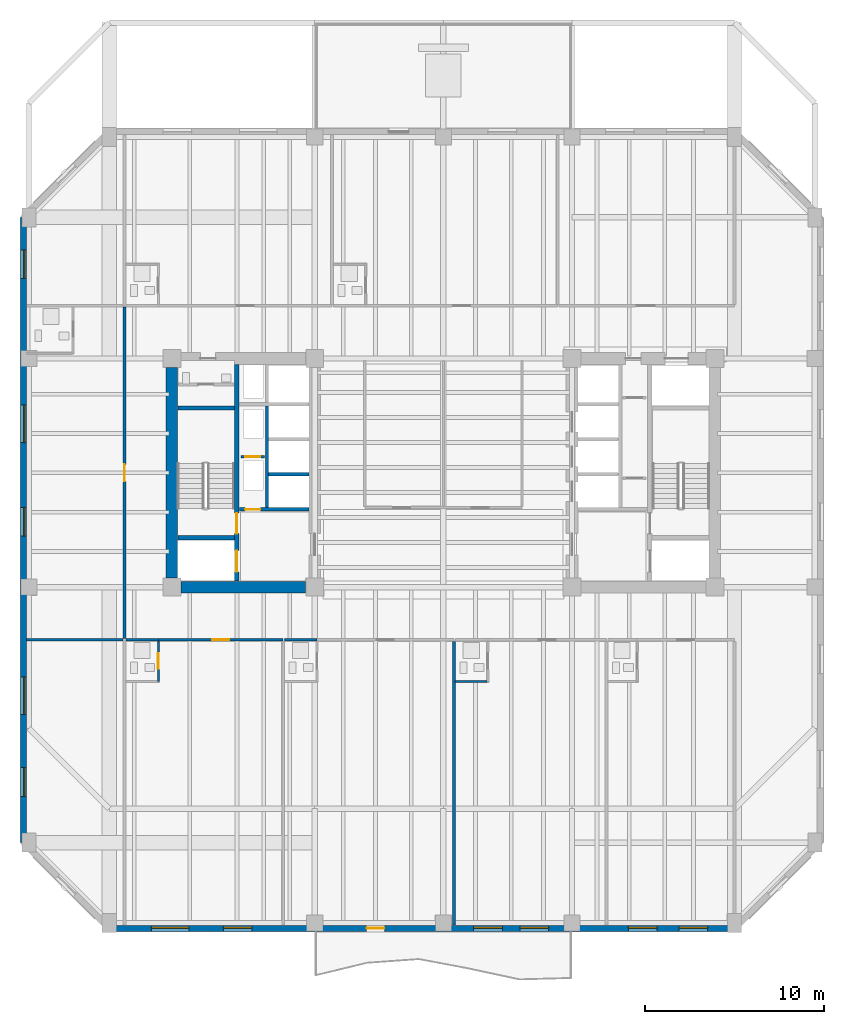
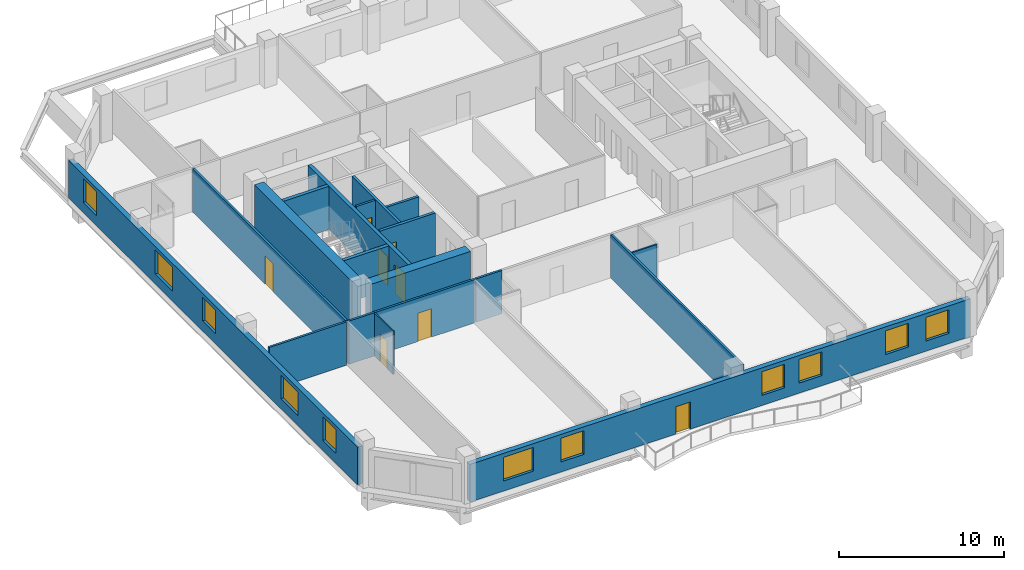
# One storey, part 3 of 11: 19 walls, 11 windows, 8 doors, 19 openings.
"""IFC4 building model written with IfcOpenShell, lengths in metres."""

import ifcopenshell
import ifcopenshell.guid

model = None  # the IFC model being written
_history = None  # IfcOwnerHistory: only IFC2X3 demands one
_inside = {}  # id of a spatial element -> (the spatial element, [elements in it])
_under = {}  # id of a project, library or spatial element -> (it, [spatial elements below it])
_declared = {}  # id of a project -> (the project, [libraries it declares])
_typed = {}  # id of a type object -> (the type object, [elements of that type])
_made_of = {}  # id of a material, layer set ... -> (it, [elements and type objects made of it])


def new_model(schema):
    """Start an empty IFC model of exactly this schema.

    Asked for "IFC4X3", IfcOpenShell would pick the latest addendum, in which some entities
    have other attributes; the version numbers below select the first issue.
    IFC2X3 requires an IfcOwnerHistory on every rooted entity: one is made here for all.
    """
    global model, _history
    if schema == "IFC4X3":
        model = ifcopenshell.file(schema_version=(4, 3, 0, 0))
    else:
        model = ifcopenshell.file(schema=schema)
    _inside.clear()
    _under.clear()
    _declared.clear()
    _typed.clear()
    _made_of.clear()
    _history = None
    if model.schema == "IFC2X3":
        org = make("IfcOrganization", Name="unknown")
        user = make(
            "IfcPersonAndOrganization",
            ThePerson=make("IfcPerson", FamilyName="unknown"),
            TheOrganization=org,
        )
        app = make(
            "IfcApplication",
            ApplicationDeveloper=org,
            Version="unknown",
            ApplicationFullName="unknown",
            ApplicationIdentifier="unknown",
        )
        _history = make(
            "IfcOwnerHistory",
            OwningUser=user,
            OwningApplication=app,
            ChangeAction="ADDED",
            CreationDate=0,
        )
    return model


def make(cls, **values):
    """One entity of the class cls with the attributes given. An attribute that is None is left unset."""
    return model.create_entity(
        cls, **{name: value for name, value in values.items() if value is not None}
    )


def rooted(cls, **values):
    """An entity with a GlobalId (a new one), such as an element, a storey or a relation."""
    return make(cls, GlobalId=ifcopenshell.guid.new(), OwnerHistory=_history, **values)


def si_unit(unit_type, name, prefix=None):
    """IfcSIUnit, for example si_unit("LENGTHUNIT", "METRE", prefix="MILLI")."""
    return make("IfcSIUnit", UnitType=unit_type, Prefix=prefix, Name=name)


def assignment(units):
    """IfcUnitAssignment: the units of a project."""
    return None if units is None else make("IfcUnitAssignment", Units=units)


def point(xyz):
    """IfcCartesianPoint."""
    return None if xyz is None else make("IfcCartesianPoint", Coordinates=xyz)


def direction(xyz):
    """IfcDirection."""
    return None if xyz is None else make("IfcDirection", DirectionRatios=xyz)


def frame(location, z_axis=None, x_axis=None):
    """IfcAxis2Placement3D, a coordinate frame: its origin and axes. An axis left out is left unset."""
    return make(
        "IfcAxis2Placement3D",
        Location=point(location),
        Axis=direction(z_axis),
        RefDirection=direction(x_axis),
    )


def frame_2d(location, x_axis=None):
    """IfcAxis2Placement2D, a coordinate frame in the plane: its origin and x axis."""
    return make(
        "IfcAxis2Placement2D", Location=point(location), RefDirection=direction(x_axis)
    )


def origin():
    """The frame at (0, 0, 0) with its axes left unset."""
    return frame((0.0, 0.0, 0.0))


def place(relative_to, where):
    """IfcLocalPlacement: puts the frame where relative to a parent placement (None: the world)."""
    return make(
        "IfcLocalPlacement", PlacementRelTo=relative_to, RelativePlacement=where
    )


def context(
    kind, dimensions, precision=None, world=None, true_north=None, identifier=None
):
    """IfcGeometricRepresentationContext, for example the 3D "Model" context."""
    return make(
        "IfcGeometricRepresentationContext",
        ContextIdentifier=identifier,
        ContextType=kind,
        CoordinateSpaceDimension=dimensions,
        Precision=precision,
        WorldCoordinateSystem=world,
        TrueNorth=true_north,
    )


def subcontext(parent, identifier, kind, view, scale=None):
    """IfcGeometricRepresentationSubContext, for example "Body" below "Model"."""
    return make(
        "IfcGeometricRepresentationSubContext",
        ContextIdentifier=identifier,
        ContextType=kind,
        ParentContext=parent,
        TargetScale=scale,
        TargetView=view,
    )


def project(units=None, contexts=None):
    """IfcProject with its units and contexts."""
    return rooted(
        "IfcProject",
        Name="project",
        RepresentationContexts=contexts,
        UnitsInContext=assignment(units),
    )


def spatial(cls, under=None, at=None, **own):
    """A site, building, storey or space (cls), placed at a placement, below another one or the project."""
    s = rooted(cls, ObjectPlacement=at, **own)
    if under is not None:
        _under.setdefault(under.id(), (under, []))[1].append(s)
    return s


def profile(cls, at=None, kind="AREA", **sizes):
    """A parametric profile (cls). Its sizes go by their IFC names, for example OverallWidth=200.0."""
    return make(cls, ProfileType=kind, Position=at, **sizes)


def rectangle(**sizes):
    """IfcRectangleProfileDef."""
    return profile("IfcRectangleProfileDef", **sizes)


def extrude(swept, where, along, depth):
    """IfcExtrudedAreaSolid: the profile swept, set in the frame where, extruded along a direction by depth."""
    return make(
        "IfcExtrudedAreaSolid",
        SweptArea=swept,
        Position=where,
        ExtrudedDirection=direction(along),
        Depth=depth,
    )


def shape(context_of_items, identifier, shape_type, items):
    """IfcShapeRepresentation: the items that make up one representation, for example the "Body"."""
    return make(
        "IfcShapeRepresentation",
        ContextOfItems=context_of_items,
        RepresentationIdentifier=identifier,
        RepresentationType=shape_type,
        Items=items,
    )


def material(Name=None, Category=None):
    """IfcMaterial."""
    return make("IfcMaterial", Name=Name, Category=Category)


def layer(
    of_material, thickness, ventilated=None, Name=None, Category=None, Priority=None
):
    """IfcMaterialLayer: one layer of a wall or slab, of a material (None: an air gap)."""
    return make(
        "IfcMaterialLayer",
        Material=of_material,
        LayerThickness=thickness,
        IsVentilated=ventilated,
        Name=Name,
        Category=Category,
        Priority=Priority,
    )


def layer_set(layers, Name=None):
    """IfcMaterialLayerSet."""
    return make("IfcMaterialLayerSet", MaterialLayers=layers, LayerSetName=Name)


def made_of(thing, what):
    """Note that an element or type object is made of a material, layer set ...; save() writes the relation."""
    if what is not None:
        _made_of.setdefault(what.id(), (what, []))[1].append(thing)
    return thing


def type_object(cls, material=None, **own):
    """A type object (cls), such as IfcWallType, which elements share."""
    return made_of(rooted(cls, **own), material)


def element(
    cls,
    number,
    at=None,
    inside=None,
    cuts=None,
    type_object=None,
    material=None,
    context=None,
    identifier="Body",
    shape_type=None,
    held_by="IfcProductDefinitionShape",
    body=None,
    shapes=None,
    **own,
):
    """One element of the class cls, such as IfcWall. Its Tag is "e" and its number.

    at: its placement. inside: the storey or other place that contains it. cuts: it is an
    opening in that element (IfcRelVoidsElement). A single representation is given by context,
    identifier, shape_type and body (its items); several are given by shapes. held_by: the class
    of the entity that holds the representations. save() writes the other relations.
    """
    e = rooted(cls, Tag="e%d" % number, ObjectPlacement=at, **own)
    if body is not None:
        shapes = [shape(context, identifier, shape_type, body)]
    if shapes is not None:
        e.Representation = make(held_by, Representations=shapes)
    if inside is not None:
        _inside.setdefault(inside.id(), (inside, []))[1].append(e)
    if cuts is not None:
        rooted(
            "IfcRelVoidsElement", RelatingBuildingElement=cuts, RelatedOpeningElement=e
        )
    if type_object is not None:
        _typed.setdefault(type_object.id(), (type_object, []))[1].append(e)
    return made_of(e, material)


def fill(opening, filler):
    """IfcRelFillsElement: the door or window that sits in an opening."""
    return rooted(
        "IfcRelFillsElement",
        RelatingOpeningElement=opening,
        RelatedBuildingElement=filler,
    )


def aggregate(whole, parts):
    """IfcRelAggregates: a whole, such as a stair, and the parts it consists of."""
    return rooted("IfcRelAggregates", RelatingObject=whole, RelatedObjects=parts)


def save(model, path):
    """Write the relations noted so far, then the file.

    IfcRelAggregates (storeys below a building ...), IfcRelContainedInSpatialStructure (elements
    in a storey), IfcRelDefinesByType, IfcRelAssociatesMaterial and IfcRelDeclares: one each for
    every whole, place, type object, material and project.
    """
    for whole, parts in _under.values():
        aggregate(whole, parts)
    for where, things in _inside.values():
        rooted(
            "IfcRelContainedInSpatialStructure",
            RelatedElements=things,
            RelatingStructure=where,
        )
    for kind, things in _typed.values():
        rooted("IfcRelDefinesByType", RelatedObjects=things, RelatingType=kind)
    for what, things in _made_of.values():
        rooted("IfcRelAssociatesMaterial", RelatedObjects=things, RelatingMaterial=what)
    for by, libraries in _declared.values():
        rooted("IfcRelDeclares", RelatingContext=by, RelatedDefinitions=libraries)
    model.write(path)


model = new_model("IFC4")

# Units and contexts
model_context = context("Model", 3, precision=1e-05, world=origin(), true_north=direction((0.0, 1.0)))
body_context = subcontext(model_context, "Body", "Model", "MODEL_VIEW")
ifc_project = project(units=[si_unit("LENGTHUNIT", "METRE"), si_unit("AREAUNIT", "SQUARE_METRE"), si_unit("VOLUMEUNIT", "CUBIC_METRE"), si_unit("PLANEANGLEUNIT", "RADIAN"), si_unit("MASSUNIT", "GRAM", prefix="KILO")], contexts=[model_context])

# Site, building, storey
site_placement = place(None, origin())
site = spatial("IfcSite", under=ifc_project, at=site_placement, CompositionType="ELEMENT")
building_placement = place(site_placement, origin())
building = spatial("IfcBuilding", under=site, at=building_placement, Name="Kranthara Brick Stack", CompositionType="ELEMENT")
storey_placement = place(building_placement, frame((0.0, 0.0, 120.300048828125)))
storey = spatial("IfcBuildingStorey", under=building, at=storey_placement, Name="L29", CompositionType="ELEMENT", Elevation=120.300048828125)

# Wall, openings, door, windows
ifc_material_1 = material(Name="Kiln-fired clay brick masonry M15", Category="masonry")
ifc_layer_1 = layer(ifc_material_1, 0.35009765625)
ifc_layer_set_1 = layer_set([ifc_layer_1], Name="Kiln-fired clay brick masonry M15")
wall_type_1 = type_object("IfcWallType", Name="WL-BRK-SPND-350", PredefinedType="STANDARD", material=ifc_layer_set_1)
wall_1_placement = place(storey_placement, frame((44.300048828125, 1.695068359375, 0.0), z_axis=(0.0, 0.0, 1.0), x_axis=(-1.0, 0.0, 0.0)))
wall_1 = element("IfcWall", 1, at=wall_1_placement, inside=storey, type_object=wall_type_1, Name="L29 Exterior Brick Facade Wall SOUTH 1", PredefinedType="STANDARD", context=body_context, shape_type="SweptSolid", body=[
    extrude(rectangle(XDim=35.0, YDim=0.35009765625, at=frame_2d((17.5, 0.0))), origin(), (0.0, 0.0, 1.0), 2.784912109375),
])
opening_1_placement = place(wall_1_placement, frame((19.60009765625, 0.0, 0.0)))
opening_1 = element("IfcOpeningElement", 2, at=opening_1_placement, cuts=wall_1, Name="Opening D03", PredefinedType="OPENING", context=body_context, shape_type="SweptSolid", body=[
    extrude(rectangle(XDim=1.0, YDim=2.02001953125, at=frame_2d((0.5, 1.010009765625))), frame((0.0, 0.18505859375, 0.0), z_axis=(0.0, -1.0, 0.0), x_axis=(1.0, 0.0, 0.0)), (0.0, 0.0, 1.0), 0.3701171875),
])
opening_2_placement = place(wall_1_placement, frame((1.508056640625, 0.0, 0.75)))
opening_2 = element("IfcOpeningElement", 3, at=opening_2_placement, cuts=wall_1, Name="Opening WN04", PredefinedType="OPENING", context=body_context, shape_type="SweptSolid", body=[
    extrude(rectangle(XDim=1.60009765625, YDim=1.75, at=frame_2d((0.800048828125, 0.875))), frame((0.0, 0.18505859375, 0.0), z_axis=(0.0, -1.0, 0.0), x_axis=(1.0, 0.0, 0.0)), (0.0, 0.0, 1.0), 0.3701171875),
])
opening_3_placement = place(wall_1_placement, frame((4.337890625, 0.0, 0.75)))
opening_3 = element("IfcOpeningElement", 4, at=opening_3_placement, cuts=wall_1, Name="Opening WN04", PredefinedType="OPENING", context=body_context, shape_type="SweptSolid", body=[
    extrude(rectangle(XDim=1.60009765625, YDim=1.75, at=frame_2d((0.800048828125, 0.875))), frame((0.0, 0.18505859375, 0.0), z_axis=(0.0, -1.0, 0.0), x_axis=(1.0, 0.0, 0.0)), (0.0, 0.0, 1.0), 0.3701171875),
])
opening_4_placement = place(wall_1_placement, frame((10.406005859375, 0.0, 0.75)))
opening_4 = element("IfcOpeningElement", 5, at=opening_4_placement, cuts=wall_1, Name="Opening WN04", PredefinedType="OPENING", context=body_context, shape_type="SweptSolid", body=[
    extrude(rectangle(XDim=1.60009765625, YDim=1.75, at=frame_2d((0.800048828125, 0.875))), frame((0.0, 0.18505859375, 0.0), z_axis=(0.0, -1.0, 0.0), x_axis=(1.0, 0.0, 0.0)), (0.0, 0.0, 1.0), 0.3701171875),
])
opening_5_placement = place(wall_1_placement, frame((13.0029296875, 0.0, 0.75)))
opening_5 = element("IfcOpeningElement", 6, at=opening_5_placement, cuts=wall_1, Name="Opening WN04", PredefinedType="OPENING", context=body_context, shape_type="SweptSolid", body=[
    extrude(rectangle(XDim=1.60009765625, YDim=1.75, at=frame_2d((0.800048828125, 0.875))), frame((0.0, 0.18505859375, 0.0), z_axis=(0.0, -1.0, 0.0), x_axis=(1.0, 0.0, 0.0)), (0.0, 0.0, 1.0), 0.3701171875),
])
opening_6_placement = place(wall_1_placement, frame((27.02001953125, 0.0, 0.75)))
opening_6 = element("IfcOpeningElement", 7, at=opening_6_placement, cuts=wall_1, Name="Opening WN04", PredefinedType="OPENING", context=body_context, shape_type="SweptSolid", body=[
    extrude(rectangle(XDim=1.60009765625, YDim=1.75, at=frame_2d((0.800048828125, 0.875))), frame((0.0, 0.18505859375, 0.0), z_axis=(0.0, -1.0, 0.0), x_axis=(1.0, 0.0, 0.0)), (0.0, 0.0, 1.0), 0.3701171875),
])
opening_7_placement = place(wall_1_placement, frame((30.551025390625, 0.0, 0.75)))
opening_7 = element("IfcOpeningElement", 8, at=opening_7_placement, cuts=wall_1, Name="Opening WN05", PredefinedType="OPENING", context=body_context, shape_type="SweptSolid", body=[
    extrude(rectangle(XDim=2.10009765625, YDim=1.75, at=frame_2d((1.050048828125, 0.875))), frame((0.0, 0.18505859375, 0.0), z_axis=(0.0, -1.0, 0.0), x_axis=(1.0, 0.0, 0.0)), (0.0, 0.0, 1.0), 0.3701171875),
])
ifc_material_2 = material(Name="Bronze anodised aluminium and laminated glass", Category="aluminium")
door_type_1 = type_object("IfcDoorType", Name="DR-BALC-1000", OperationType="NOTDEFINED", PredefinedType="DOOR", material=ifc_material_2)
door_1_placement = place(opening_1_placement, origin())
door_1 = element("IfcDoor", 9, at=door_1_placement, inside=storey, type_object=door_type_1, Name="L29 South Balcony Terrace Door", OperationType="SINGLE_SWING_LEFT", OverallHeight=2.02001953125, OverallWidth=1.0, PredefinedType="DOOR", context=body_context, shape_type="SweptSolid", body=[
    extrude(rectangle(XDim=1.0, YDim=2.02001953125, at=frame_2d((0.5, 1.010009765625))), frame((0.0, 0.02490234375, 0.0), z_axis=(0.0, -1.0, 0.0), x_axis=(1.0, 0.0, 0.0)), (0.0, 0.0, 1.0), 0.050048828125),
])
fill(opening_1, door_1)
ifc_material_3 = material(Name="Double-glazed low-E solar control glass", Category="glass")
window_type_1 = type_object("IfcWindowType", Name="WN-HTL-1600x1850", PartitioningType="DOUBLE_PANEL_VERTICAL", PredefinedType="WINDOW", material=ifc_material_3)
window_1_placement = place(opening_2_placement, origin())
window_1 = element("IfcWindow", 10, at=window_1_placement, inside=storey, type_object=window_type_1, Name="L29 South Deep-Set Brick Window 01", OverallHeight=1.75, OverallWidth=1.60009765625, PartitioningType="SINGLE_PANEL", PredefinedType="WINDOW", context=body_context, shape_type="SweptSolid", body=[
    extrude(rectangle(XDim=1.60009765625, YDim=1.75, at=frame_2d((0.800048828125, 0.875))), frame((0.0, -0.010009765625, 0.0), z_axis=(0.0, -1.0, 0.0), x_axis=(1.0, 0.0, 0.0)), (0.0, 0.0, 1.0), 0.06005859375),
])
fill(opening_2, window_1)
window_2_placement = place(opening_3_placement, origin())
window_2 = element("IfcWindow", 11, at=window_2_placement, inside=storey, type_object=window_type_1, Name="L29 South Deep-Set Brick Window 02", OverallHeight=1.75, OverallWidth=1.60009765625, PartitioningType="SINGLE_PANEL", PredefinedType="WINDOW", context=body_context, shape_type="SweptSolid", body=[
    extrude(rectangle(XDim=1.60009765625, YDim=1.75, at=frame_2d((0.800048828125, 0.875))), frame((0.0, -0.010009765625, 0.0), z_axis=(0.0, -1.0, 0.0), x_axis=(1.0, 0.0, 0.0)), (0.0, 0.0, 1.0), 0.06005859375),
])
fill(opening_3, window_2)
window_3_placement = place(opening_4_placement, origin())
window_3 = element("IfcWindow", 12, at=window_3_placement, inside=storey, type_object=window_type_1, Name="L29 South Deep-Set Brick Window 03", OverallHeight=1.75, OverallWidth=1.60009765625, PartitioningType="SINGLE_PANEL", PredefinedType="WINDOW", context=body_context, shape_type="SweptSolid", body=[
    extrude(rectangle(XDim=1.60009765625, YDim=1.75, at=frame_2d((0.800048828125, 0.875))), frame((0.0, -0.010009765625, 0.0), z_axis=(0.0, -1.0, 0.0), x_axis=(1.0, 0.0, 0.0)), (0.0, 0.0, 1.0), 0.06005859375),
])
fill(opening_4, window_3)
window_4_placement = place(opening_5_placement, origin())
window_4 = element("IfcWindow", 13, at=window_4_placement, inside=storey, type_object=window_type_1, Name="L29 South Deep-Set Brick Window 04", OverallHeight=1.75, OverallWidth=1.60009765625, PartitioningType="SINGLE_PANEL", PredefinedType="WINDOW", context=body_context, shape_type="SweptSolid", body=[
    extrude(rectangle(XDim=1.60009765625, YDim=1.75, at=frame_2d((0.800048828125, 0.875))), frame((0.0, -0.010009765625, 0.0), z_axis=(0.0, -1.0, 0.0), x_axis=(1.0, 0.0, 0.0)), (0.0, 0.0, 1.0), 0.06005859375),
])
fill(opening_5, window_4)
window_5_placement = place(opening_6_placement, origin())
window_5 = element("IfcWindow", 14, at=window_5_placement, inside=storey, type_object=window_type_1, Name="L29 South Deep-Set Brick Window 05", OverallHeight=1.75, OverallWidth=1.60009765625, PartitioningType="SINGLE_PANEL", PredefinedType="WINDOW", context=body_context, shape_type="SweptSolid", body=[
    extrude(rectangle(XDim=1.60009765625, YDim=1.75, at=frame_2d((0.800048828125, 0.875))), frame((0.0, -0.010009765625, 0.0), z_axis=(0.0, -1.0, 0.0), x_axis=(1.0, 0.0, 0.0)), (0.0, 0.0, 1.0), 0.06005859375),
])
fill(opening_6, window_5)
ifc_material_4 = material(Name="Double-glazed low-E solar control glass", Category="glass")
window_type_2 = type_object("IfcWindowType", Name="WN-HTL-2100x1850", PartitioningType="DOUBLE_PANEL_VERTICAL", PredefinedType="WINDOW", material=ifc_material_4)
window_6_placement = place(opening_7_placement, origin())
window_6 = element("IfcWindow", 15, at=window_6_placement, inside=storey, type_object=window_type_2, Name="L29 South Deep-Set Brick Window 06", OverallHeight=1.75, OverallWidth=2.10009765625, PartitioningType="SINGLE_PANEL", PredefinedType="WINDOW", context=body_context, shape_type="SweptSolid", body=[
    extrude(rectangle(XDim=2.10009765625, YDim=1.75, at=frame_2d((1.050048828125, 0.875))), frame((0.0, -0.010009765625, 0.0), z_axis=(0.0, -1.0, 0.0), x_axis=(1.0, 0.0, 0.0)), (0.0, 0.0, 1.0), 0.06005859375),
])
fill(opening_7, window_6)

# Wall, openings, windows
wall_2_placement = place(storey_placement, frame((4.4951171875, 6.5, 0.0), z_axis=(0.0, 0.0, 1.0), x_axis=(0.0, 1.0, 0.0)))
wall_2 = element("IfcWall", 16, at=wall_2_placement, inside=storey, type_object=wall_type_1, Name="L29 Exterior Brick Facade Wall WEST 1", PredefinedType="STANDARD", context=body_context, shape_type="SweptSolid", body=[
    extrude(rectangle(XDim=35.0, YDim=0.35009765625, at=frame_2d((17.5, 0.0))), origin(), (0.0, 0.0, 1.0), 2.784912109375),
])
opening_8_placement = place(wall_2_placement, frame((2.594970703125, 0.0, 0.75)))
opening_8 = element("IfcOpeningElement", 17, at=opening_8_placement, cuts=wall_2, Name="Opening WN04", PredefinedType="OPENING", context=body_context, shape_type="SweptSolid", body=[
    extrude(rectangle(XDim=1.60009765625, YDim=1.75, at=frame_2d((0.800048828125, 0.875))), frame((0.0, 0.18505859375, 0.0), z_axis=(0.0, -1.0, 0.0), x_axis=(1.0, 0.0, 0.0)), (0.0, 0.0, 1.0), 0.3701171875),
])
opening_9_placement = place(wall_2_placement, frame((7.180908203125, 0.0, 0.75)))
opening_9 = element("IfcOpeningElement", 18, at=opening_9_placement, cuts=wall_2, Name="Opening WN05", PredefinedType="OPENING", context=body_context, shape_type="SweptSolid", body=[
    extrude(rectangle(XDim=2.10009765625, YDim=1.75, at=frame_2d((1.050048828125, 0.875))), frame((0.0, 0.18505859375, 0.0), z_axis=(0.0, -1.0, 0.0), x_axis=(1.0, 0.0, 0.0)), (0.0, 0.0, 1.0), 0.3701171875),
])
opening_10_placement = place(wall_2_placement, frame((17.1640625, 0.0, 0.75)))
opening_10 = element("IfcOpeningElement", 19, at=opening_10_placement, cuts=wall_2, Name="Opening WN04", PredefinedType="OPENING", context=body_context, shape_type="SweptSolid", body=[
    extrude(rectangle(XDim=1.60009765625, YDim=1.75, at=frame_2d((0.800048828125, 0.875))), frame((0.0, 0.18505859375, 0.0), z_axis=(0.0, -1.0, 0.0), x_axis=(1.0, 0.0, 0.0)), (0.0, 0.0, 1.0), 0.3701171875),
])
opening_11_placement = place(wall_2_placement, frame((22.385986328125, 0.0, 0.75)))
opening_11 = element("IfcOpeningElement", 20, at=opening_11_placement, cuts=wall_2, Name="Opening WN05", PredefinedType="OPENING", context=body_context, shape_type="SweptSolid", body=[
    extrude(rectangle(XDim=2.10009765625, YDim=1.75, at=frame_2d((1.050048828125, 0.875))), frame((0.0, 0.18505859375, 0.0), z_axis=(0.0, -1.0, 0.0), x_axis=(1.0, 0.0, 0.0)), (0.0, 0.0, 1.0), 0.3701171875),
])
opening_12_placement = place(wall_2_placement, frame((31.587890625, 0.0, 0.75)))
opening_12 = element("IfcOpeningElement", 21, at=opening_12_placement, cuts=wall_2, Name="Opening WN04", PredefinedType="OPENING", context=body_context, shape_type="SweptSolid", body=[
    extrude(rectangle(XDim=1.60009765625, YDim=1.75, at=frame_2d((0.800048828125, 0.875))), frame((0.0, 0.18505859375, 0.0), z_axis=(0.0, -1.0, 0.0), x_axis=(1.0, 0.0, 0.0)), (0.0, 0.0, 1.0), 0.3701171875),
])
window_7_placement = place(opening_8_placement, origin())
window_7 = element("IfcWindow", 22, at=window_7_placement, inside=storey, type_object=window_type_1, Name="L29 West Deep-Set Brick Window 01", OverallHeight=1.75, OverallWidth=1.60009765625, PartitioningType="SINGLE_PANEL", PredefinedType="WINDOW", context=body_context, shape_type="SweptSolid", body=[
    extrude(rectangle(XDim=1.60009765625, YDim=1.75, at=frame_2d((0.800048828125, 0.875))), frame((0.0, -0.010009765625, 0.0), z_axis=(0.0, -1.0, 0.0), x_axis=(1.0, 0.0, 0.0)), (0.0, 0.0, 1.0), 0.06005859375),
])
fill(opening_8, window_7)
window_8_placement = place(opening_10_placement, origin())
window_8 = element("IfcWindow", 23, at=window_8_placement, inside=storey, type_object=window_type_1, Name="L29 West Deep-Set Brick Window 03", OverallHeight=1.75, OverallWidth=1.60009765625, PartitioningType="SINGLE_PANEL", PredefinedType="WINDOW", context=body_context, shape_type="SweptSolid", body=[
    extrude(rectangle(XDim=1.60009765625, YDim=1.75, at=frame_2d((0.800048828125, 0.875))), frame((0.0, -0.010009765625, 0.0), z_axis=(0.0, -1.0, 0.0), x_axis=(1.0, 0.0, 0.0)), (0.0, 0.0, 1.0), 0.06005859375),
])
fill(opening_10, window_8)
window_9_placement = place(opening_12_placement, origin())
window_9 = element("IfcWindow", 24, at=window_9_placement, inside=storey, type_object=window_type_1, Name="L29 West Deep-Set Brick Window 05", OverallHeight=1.75, OverallWidth=1.60009765625, PartitioningType="SINGLE_PANEL", PredefinedType="WINDOW", context=body_context, shape_type="SweptSolid", body=[
    extrude(rectangle(XDim=1.60009765625, YDim=1.75, at=frame_2d((0.800048828125, 0.875))), frame((0.0, -0.010009765625, 0.0), z_axis=(0.0, -1.0, 0.0), x_axis=(1.0, 0.0, 0.0)), (0.0, 0.0, 1.0), 0.06005859375),
])
fill(opening_12, window_9)
window_10_placement = place(opening_9_placement, origin())
window_10 = element("IfcWindow", 25, at=window_10_placement, inside=storey, type_object=window_type_2, Name="L29 West Deep-Set Brick Window 02", OverallHeight=1.75, OverallWidth=2.10009765625, PartitioningType="SINGLE_PANEL", PredefinedType="WINDOW", context=body_context, shape_type="SweptSolid", body=[
    extrude(rectangle(XDim=2.10009765625, YDim=1.75, at=frame_2d((1.050048828125, 0.875))), frame((0.0, -0.010009765625, 0.0), z_axis=(0.0, -1.0, 0.0), x_axis=(1.0, 0.0, 0.0)), (0.0, 0.0, 1.0), 0.06005859375),
])
fill(opening_9, window_10)
window_11_placement = place(opening_11_placement, origin())
window_11 = element("IfcWindow", 26, at=window_11_placement, inside=storey, type_object=window_type_2, Name="L29 West Deep-Set Brick Window 04", OverallHeight=1.75, OverallWidth=2.10009765625, PartitioningType="SINGLE_PANEL", PredefinedType="WINDOW", context=body_context, shape_type="SweptSolid", body=[
    extrude(rectangle(XDim=2.10009765625, YDim=1.75, at=frame_2d((1.050048828125, 0.875))), frame((0.0, -0.010009765625, 0.0), z_axis=(0.0, -1.0, 0.0), x_axis=(1.0, 0.0, 0.0)), (0.0, 0.0, 1.0), 0.06005859375),
])
fill(opening_11, window_11)

# Wall, openings, doors
ifc_material_5 = material(Name="Concrete C50/60", Category="concrete")
ifc_layer_2 = layer(ifc_material_5, 0.25)
ifc_layer_set_2 = layer_set([ifc_layer_2], Name="Concrete C50/60")
wall_type_2 = type_object("IfcWallType", Name="WL-CORE-250", PredefinedType="SHEAR", material=ifc_layer_set_2)
wall_3_placement = place(storey_placement, frame((16.43505859375, 21.135009765625, 0.0), z_axis=(0.0, 0.0, 1.0), x_axis=(0.0, 1.0, 0.0)))
wall_3 = element("IfcWall", 27, at=wall_3_placement, inside=storey, type_object=wall_type_2, Name="L29 West Core Stair Bearing Spine Wall", PredefinedType="SHEAR", context=body_context, shape_type="SweptSolid", body=[
    extrude(rectangle(XDim=12.1298828125, YDim=0.25, at=frame_2d((6.06494140625, 0.0))), origin(), (0.0, 0.0, 1.0), 3.199951171875),
])
opening_13_placement = place(wall_3_placement, frame((0.514892578125, 0.0, 0.0)))
opening_13 = element("IfcOpeningElement", 28, at=opening_13_placement, cuts=wall_3, Name="Opening LD01", PredefinedType="OPENING", context=body_context, shape_type="SweptSolid", body=[
    extrude(rectangle(XDim=1.199951171875, YDim=2.14990234375, at=frame_2d((0.60009765625, 1.074951171875))), frame((0.0, 0.135009765625, 0.0), z_axis=(0.0, -1.0, 0.0), x_axis=(1.0, 0.0, 0.0)), (0.0, 0.0, 1.0), 0.27001953125),
])
opening_14_placement = place(wall_3_placement, frame((2.6650390625, 0.0, 0.0)))
opening_14 = element("IfcOpeningElement", 29, at=opening_14_placement, cuts=wall_3, Name="Opening D05", PredefinedType="OPENING", context=body_context, shape_type="SweptSolid", body=[
    extrude(rectangle(XDim=1.14990234375, YDim=2.14990234375, at=frame_2d((0.574951171875, 1.074951171875))), frame((0.0, 0.135009765625, 0.0), z_axis=(0.0, -1.0, 0.0), x_axis=(1.0, 0.0, 0.0)), (0.0, 0.0, 1.0), 0.27001953125),
])
ifc_material_6 = material(Name="Stainless steel sliding landing door", Category="steel")
door_type_2 = type_object("IfcDoorType", Name="DR-LD-FF1200", OperationType="DOUBLE_DOOR_SLIDING", PredefinedType="DOOR", material=ifc_material_6)
door_2_placement = place(opening_13_placement, origin())
door_2 = element("IfcDoor", 30, at=door_2_placement, inside=storey, type_object=door_type_2, Name="L29 Firefighting Lift FF-01 Landing Door", OperationType="DOUBLE_DOOR_SLIDING", OverallHeight=2.14990234375, OverallWidth=1.199951171875, PredefinedType="DOOR", context=body_context, shape_type="SweptSolid", body=[
    extrude(rectangle(XDim=1.199951171875, YDim=2.14990234375, at=frame_2d((0.60009765625, 1.074951171875))), frame((0.0, 0.02490234375, 0.0), z_axis=(0.0, -1.0, 0.0), x_axis=(1.0, 0.0, 0.0)), (0.0, 0.0, 1.0), 0.050048828125),
])
fill(opening_13, door_2)
ifc_material_7 = material(Name="Solid-core hardwood timber leaf in steel frame", Category="steel")
door_type_3 = type_object("IfcDoorType", Name="DR-ST-1150", OperationType="NOTDEFINED", PredefinedType="DOOR", material=ifc_material_7)
door_3_placement = place(opening_14_placement, origin())
door_3 = element("IfcDoor", 31, at=door_3_placement, inside=storey, type_object=door_type_3, Name="L29 Exit Stair ST01 Door", OperationType="SINGLE_SWING_RIGHT", OverallHeight=2.14990234375, OverallWidth=1.14990234375, PredefinedType="DOOR", context=body_context, shape_type="SweptSolid", body=[
    extrude(rectangle(XDim=1.14990234375, YDim=2.14990234375, at=frame_2d((0.574951171875, 1.074951171875))), frame((0.0, 0.02490234375, 0.0), z_axis=(0.0, -1.0, 0.0), x_axis=(1.0, 0.0, 0.0)), (0.0, 0.0, 1.0), 0.050048828125),
])
fill(opening_14, door_3)

# Walls
for number, where, z_axis, x_axis, name in (
    (32, (13.135009765625, 23.570068359375, 0.0), (0.0, 0.0, 1.0), (1.0, 0.0, 0.0), "L29 West Stairwell Bearing Wall WFF"),
    (33, (13.135009765625, 30.830078125, 0.0), (0.0, 0.0, 1.0), (1.0, 0.0, 0.0), "L29 West Stairwell Bearing Wall WST"),
):
    element("IfcWall", number, at=place(storey_placement, frame(where, z_axis=z_axis, x_axis=x_axis)), inside=storey, type_object=wall_type_2, Name=name, PredefinedType="SHEAR", context=body_context, shape_type="SweptSolid", body=[
        extrude(rectangle(XDim=3.175048828125, YDim=0.25, at=frame_2d((1.58740234375, 0.0))), origin(), (0.0, 0.0, 1.0), 3.199951171875),
    ])
ifc_material_8 = material(Name="Concrete C60/75", Category="concrete")
ifc_layer_3 = layer(ifc_material_8, 0.64990234375)
ifc_layer_set_3 = layer_set([ifc_layer_3], Name="Concrete C60/75")
wall_type_3 = type_object("IfcWallType", Name="WL-CORE-650", PredefinedType="SHEAR", material=ifc_layer_set_3)
wall_4_placement = place(storey_placement, frame((12.800048828125, 21.304931640625, 0.0), z_axis=(0.0, 0.0, 1.0), x_axis=(0.0, 1.0, 0.0)))
element("IfcWall", 34, at=wall_4_placement, inside=storey, type_object=wall_type_3, Name="L29 West Core Shear Wall West", PredefinedType="SHEAR", context=body_context, shape_type="SweptSolid", body=[
    extrude(rectangle(XDim=11.7900390625, YDim=0.64990234375, at=frame_2d((5.89501953125, 0.0))), origin(), (0.0, 0.0, 1.0), 3.199951171875),
])
wall_5_placement = place(storey_placement, frame((13.304931640625, 20.800048828125, 0.0), z_axis=(0.0, 0.0, 1.0), x_axis=(1.0, 0.0, 0.0)))
element("IfcWall", 35, at=wall_5_placement, inside=storey, type_object=wall_type_3, Name="L29 West Core Shear Wall South", PredefinedType="SHEAR", context=body_context, shape_type="SweptSolid", body=[
    extrude(rectangle(XDim=6.989990234375, YDim=0.64990234375, at=frame_2d((3.4951171875, 0.0))), origin(), (0.0, 0.0, 1.0), 3.199951171875),
])

# Wall, opening, door
ifc_material_9 = material(Name="Moisture-resistant wet-room partition", Category="other")
ifc_layer_4 = layer(ifc_material_9, 0.10009765625)
ifc_layer_set_4 = layer_set([ifc_layer_4], Name="Moisture-resistant wet-room partition")
wall_type_4 = type_object("IfcWallType", Name="WL-PART-100", PredefinedType="PARTITIONING", material=ifc_layer_set_4)
wall_6_placement = place(storey_placement, frame((12.050048828125, 15.52001953125, 0.0), z_axis=(0.0, 0.0, 1.0), x_axis=(0.0, 1.0, 0.0)))
wall_6 = element("IfcWall", 36, at=wall_6_placement, inside=storey, type_object=wall_type_4, Name="L29 Interior Partition 012", PredefinedType="PARTITIONING", context=body_context, shape_type="SweptSolid", body=[
    extrude(rectangle(XDim=2.25, YDim=0.10009765625, at=frame_2d((1.125, 0.0))), origin(), (0.0, 0.0, 1.0), 3.199951171875),
])
opening_15_placement = place(wall_6_placement, frame((0.719970703125, 0.0, 0.0)))
opening_15 = element("IfcOpeningElement", 37, at=opening_15_placement, cuts=wall_6, Name="Opening D17", PredefinedType="OPENING", context=body_context, shape_type="SweptSolid", body=[
    extrude(rectangle(XDim=0.85009765625, YDim=2.050048828125, at=frame_2d((0.425048828125, 1.02490234375))), frame((0.0, 0.06005859375, 0.0), z_axis=(0.0, -1.0, 0.0), x_axis=(1.0, 0.0, 0.0)), (0.0, 0.0, 1.0), 0.1201171875),
])
ifc_material_10 = material(Name="Solid-core hardwood timber leaf in steel frame", Category="steel")
door_type_4 = type_object("IfcDoorType", Name="DR-WET-850", OperationType="NOTDEFINED", PredefinedType="DOOR", material=ifc_material_10)
door_4_placement = place(opening_15_placement, origin())
door_4 = element("IfcDoor", 38, at=door_4_placement, inside=storey, type_object=door_type_4, Name="L29 Key 01 En-Suite Door 07", OperationType="SINGLE_SWING_LEFT", OverallHeight=2.050048828125, OverallWidth=0.85009765625, PredefinedType="DOOR", context=body_context, shape_type="SweptSolid", body=[
    extrude(rectangle(XDim=0.85009765625, YDim=2.050048828125, at=frame_2d((0.425048828125, 1.02490234375))), frame((0.0, 0.02490234375, 0.0), z_axis=(0.0, -1.0, 0.0), x_axis=(1.0, 0.0, 0.0)), (0.0, 0.0, 1.0), 0.050048828125),
])
fill(opening_15, door_4)

# Wall
wall_7_placement = place(storey_placement, frame((28.6708984375, 15.52001953125, 0.0), z_axis=(0.0, 0.0, 1.0), x_axis=(1.0, 0.0, 0.0)))
element("IfcWall", 39, at=wall_7_placement, inside=storey, type_object=wall_type_4, Name="L29 Interior Partition 023", PredefinedType="PARTITIONING", context=body_context, shape_type="SweptSolid", body=[
    extrude(rectangle(XDim=1.76513671875, YDim=0.10009765625, at=frame_2d((0.882568359375, 0.0))), origin(), (0.0, 0.0, 1.0), 3.199951171875),
])

# Wall, opening, door
ifc_material_11 = material(Name="Fire-rated gypsum board partition", Category="other")
ifc_layer_5 = layer(ifc_material_11, 0.14990234375)
ifc_layer_set_5 = layer_set([ifc_layer_5], Name="Fire-rated gypsum board partition")
wall_type_5 = type_object("IfcWallType", Name="WL-PART-150", PredefinedType="PARTITIONING", material=ifc_layer_set_5)
wall_8_placement = place(storey_placement, frame((16.679931640625, 28.10009765625, 0.0), z_axis=(0.0, 0.0, 1.0), x_axis=(1.0, 0.0, 0.0)))
wall_8 = element("IfcWall", 40, at=wall_8_placement, inside=storey, type_object=wall_type_5, Name="L29 Interior Partition 004", PredefinedType="PARTITIONING", context=body_context, shape_type="SweptSolid", body=[
    extrude(rectangle(XDim=1.320068359375, YDim=0.14990234375, at=frame_2d((0.66015625, 0.0))), origin(), (0.0, 0.0, 1.0), 3.199951171875),
])
opening_16_placement = place(wall_8_placement, frame((0.219970703125, 0.0, 0.0)))
opening_16 = element("IfcOpeningElement", 41, at=opening_16_placement, cuts=wall_8, Name="Opening D10", PredefinedType="OPENING", context=body_context, shape_type="SweptSolid", body=[
    extrude(rectangle(XDim=0.85009765625, YDim=2.02001953125, at=frame_2d((0.425048828125, 1.010009765625))), frame((0.0, 0.0849609375, 0.0), z_axis=(0.0, -1.0, 0.0), x_axis=(1.0, 0.0, 0.0)), (0.0, 0.0, 1.0), 0.169921875),
])
ifc_material_12 = material(Name="Solid-core hardwood timber leaf in steel frame", Category="steel")
door_type_5 = type_object("IfcDoorType", Name="DR-RSR-850", OperationType="NOTDEFINED", PredefinedType="DOOR", material=ifc_material_12)
door_5_placement = place(opening_16_placement, origin())
door_5 = element("IfcDoor", 42, at=door_5_placement, inside=storey, type_object=door_type_5, Name="L29 Riser Split Door 04", OperationType="SINGLE_SWING_RIGHT", OverallHeight=2.02001953125, OverallWidth=0.85009765625, PredefinedType="DOOR", context=body_context, shape_type="SweptSolid", body=[
    extrude(rectangle(XDim=0.85009765625, YDim=2.02001953125, at=frame_2d((0.425048828125, 1.010009765625))), frame((0.0, 0.02490234375, 0.0), z_axis=(0.0, -1.0, 0.0), x_axis=(1.0, 0.0, 0.0)), (0.0, 0.0, 1.0), 0.050048828125),
])
fill(opening_16, door_5)

# Wall
wall_9_placement = place(storey_placement, frame((10.22998046875, 17.85009765625, 0.0), z_axis=(0.0, 0.0, 1.0), x_axis=(1.0, 0.0, 0.0)))
element("IfcWall", 43, at=wall_9_placement, inside=storey, type_object=wall_type_5, Name="L29 Interior Partition 010", PredefinedType="PARTITIONING", context=body_context, shape_type="SweptSolid", body=[
    extrude(rectangle(XDim=1.820068359375, YDim=0.14990234375, at=frame_2d((0.91015625, 0.0))), origin(), (0.0, 0.0, 1.0), 3.199951171875),
])

# Wall, opening, door
wall_10_placement = place(storey_placement, frame((12.050048828125, 17.85009765625, 0.0), z_axis=(0.0, 0.0, 1.0), x_axis=(1.0, 0.0, 0.0)))
wall_10 = element("IfcWall", 44, at=wall_10_placement, inside=storey, type_object=wall_type_5, Name="L29 Interior Partition 011", PredefinedType="PARTITIONING", context=body_context, shape_type="SweptSolid", body=[
    extrude(rectangle(XDim=6.97900390625, YDim=0.14990234375, at=frame_2d((3.489501953125, 0.0))), origin(), (0.0, 0.0, 1.0), 3.199951171875),
])
opening_17_placement = place(wall_10_placement, frame((3.010009765625, 0.0, 0.0)))
opening_17 = element("IfcOpeningElement", 45, at=opening_17_placement, cuts=wall_10, Name="Opening D09", PredefinedType="OPENING", context=body_context, shape_type="SweptSolid", body=[
    extrude(rectangle(XDim=0.949951171875, YDim=2.10009765625, at=frame_2d((0.47509765625, 1.050048828125))), frame((0.0, 0.0849609375, 0.0), z_axis=(0.0, -1.0, 0.0), x_axis=(1.0, 0.0, 0.0)), (0.0, 0.0, 1.0), 0.169921875),
])
ifc_material_13 = material(Name="Solid-core hardwood timber leaf in steel frame", Category="steel")
door_type_6 = type_object("IfcDoorType", Name="DR-FD-950", OperationType="NOTDEFINED", PredefinedType="DOOR", material=ifc_material_13)
door_6_placement = place(opening_17_placement, origin())
door_6 = element("IfcDoor", 46, at=door_6_placement, inside=storey, type_object=door_type_6, Name="L29 Key 01 Entry 08", OperationType="SINGLE_SWING_RIGHT", OverallHeight=2.10009765625, OverallWidth=0.949951171875, PredefinedType="DOOR", context=body_context, shape_type="SweptSolid", body=[
    extrude(rectangle(XDim=0.949951171875, YDim=2.10009765625, at=frame_2d((0.47509765625, 1.050048828125))), frame((0.0, 0.02490234375, 0.0), z_axis=(0.0, -1.0, 0.0), x_axis=(1.0, 0.0, 0.0)), (0.0, 0.0, 1.0), 0.050048828125),
])
fill(opening_17, door_6)

# Walls
wall_11_placement = place(storey_placement, frame((19.10888671875, 17.85009765625, 0.0), z_axis=(0.0, 0.0, 1.0), x_axis=(1.0, 0.0, 0.0)))
element("IfcWall", 47, at=wall_11_placement, inside=storey, type_object=wall_type_5, Name="L29 Interior Partition 015", PredefinedType="PARTITIONING", context=body_context, shape_type="SweptSolid", body=[
    extrude(rectangle(XDim=1.820068359375, YDim=0.14990234375, at=frame_2d((0.91015625, 0.0))), origin(), (0.0, 0.0, 1.0), 3.199951171875),
])
wall_12_placement = place(storey_placement, frame((28.591064453125, 1.875, 0.0), z_axis=(0.0, 0.0, 1.0), x_axis=(0.0, 1.0, 0.0)))
element("IfcWall", 48, at=wall_12_placement, inside=storey, type_object=wall_type_5, Name="L29 Interior Partition 019", PredefinedType="PARTITIONING", context=body_context, shape_type="SweptSolid", body=[
    extrude(rectangle(XDim=15.89501953125, YDim=0.14990234375, at=frame_2d((7.947509765625, 0.0))), origin(), (0.0, 0.0, 1.0), 3.199951171875),
])
wall_13_placement = place(storey_placement, frame((4.675048828125, 17.85009765625, 0.0), z_axis=(0.0, 0.0, 1.0), x_axis=(1.0, 0.0, 0.0)))
element("IfcWall", 49, at=wall_13_placement, inside=storey, type_object=wall_type_5, Name="L29 Interior Partition 043", PredefinedType="PARTITIONING", context=body_context, shape_type="SweptSolid", body=[
    extrude(rectangle(XDim=5.39501953125, YDim=0.14990234375, at=frame_2d((2.697509765625, 0.0))), origin(), (0.0, 0.0, 1.0), 3.199951171875),
])

# Wall, opening, door
wall_14_placement = place(storey_placement, frame((10.14990234375, 17.929931640625, 0.0), z_axis=(0.0, 0.0, 1.0), x_axis=(0.0, 1.0, 0.0)))
wall_14 = element("IfcWall", 50, at=wall_14_placement, inside=storey, type_object=wall_type_5, Name="L29 Interior Partition 045", PredefinedType="PARTITIONING", context=body_context, shape_type="SweptSolid", body=[
    extrude(rectangle(XDim=18.5400390625, YDim=0.14990234375, at=frame_2d((9.27001953125, 0.0))), origin(), (0.0, 0.0, 1.0), 3.199951171875),
])
opening_18_placement = place(wall_14_placement, frame((8.7900390625, 0.0, 0.0)))
opening_18 = element("IfcOpeningElement", 51, at=opening_18_placement, cuts=wall_14, Name="Opening D09", PredefinedType="OPENING", context=body_context, shape_type="SweptSolid", body=[
    extrude(rectangle(XDim=0.949951171875, YDim=2.10009765625, at=frame_2d((0.47509765625, 1.050048828125))), frame((0.0, 0.0849609375, 0.0), z_axis=(0.0, -1.0, 0.0), x_axis=(1.0, 0.0, 0.0)), (0.0, 0.0, 1.0), 0.169921875),
])
door_7_placement = place(opening_18_placement, origin())
door_7 = element("IfcDoor", 52, at=door_7_placement, inside=storey, type_object=door_type_6, Name="L29 West Key 8 21", OperationType="SINGLE_SWING_LEFT", OverallHeight=2.10009765625, OverallWidth=0.949951171875, PredefinedType="DOOR", context=body_context, shape_type="SweptSolid", body=[
    extrude(rectangle(XDim=0.949951171875, YDim=2.10009765625, at=frame_2d((0.47509765625, 1.050048828125))), frame((0.0, 0.02490234375, 0.0), z_axis=(0.0, -1.0, 0.0), x_axis=(1.0, 0.0, 0.0)), (0.0, 0.0, 1.0), 0.050048828125),
])
fill(opening_18, door_7)

# Walls
ifc_material_14 = material(Name="Gypsum plasterboard on acoustic twin stud", Category="other")
ifc_layer_6 = layer(ifc_material_14, 0.179931640625)
ifc_layer_set_6 = layer_set([ifc_layer_6], Name="Gypsum plasterboard on acoustic twin stud")
wall_type_6 = type_object("IfcWallType", Name="WL-PART-180", PredefinedType="PARTITIONING", material=ifc_layer_set_6)
wall_15_placement = place(storey_placement, frame((18.1201171875, 25.27001953125, 0.0), z_axis=(0.0, 0.0, 1.0), x_axis=(0.0, 1.0, 0.0)))
element("IfcWall", 53, at=wall_15_placement, inside=storey, type_object=wall_type_6, Name="L29 West Hoistway Wall WBK", PredefinedType="PARTITIONING", context=body_context, shape_type="SweptSolid", body=[
    extrude(rectangle(XDim=5.659912109375, YDim=0.179931640625, at=frame_2d((2.830078125, 0.0))), origin(), (0.0, 0.0, 1.0), 3.199951171875),
])
wall_16_placement = place(storey_placement, frame((18.219970703125, 27.1201171875, 0.0), z_axis=(0.0, 0.0, 1.0), x_axis=(1.0, 0.0, 0.0)))
element("IfcWall", 54, at=wall_16_placement, inside=storey, type_object=wall_type_6, Name="L29 West Hoistway Wall WH1", PredefinedType="PARTITIONING", context=body_context, shape_type="SweptSolid", body=[
    extrude(rectangle(XDim=2.2451171875, YDim=0.179931640625, at=frame_2d((1.12255859375, 0.0))), origin(), (0.0, 0.0, 1.0), 3.199951171875),
])

# Wall, opening, door
ifc_material_15 = material(Name="Concrete C40/50", Category="concrete")
ifc_layer_7 = layer(ifc_material_15, 0.199951171875)
ifc_layer_set_7 = layer_set([ifc_layer_7], Name="Concrete C40/50")
wall_type_7 = type_object("IfcWallType", Name="WL-PART-200", PredefinedType="SOLIDWALL", material=ifc_layer_set_7)
wall_17_placement = place(storey_placement, frame((16.60009765625, 25.14990234375, 0.0), z_axis=(0.0, 0.0, 1.0), x_axis=(1.0, 0.0, 0.0)))
wall_17 = element("IfcWall", 55, at=wall_17_placement, inside=storey, type_object=wall_type_7, Name="L29 West Core Cross Wall WFL", PredefinedType="SOLIDWALL", context=body_context, shape_type="SweptSolid", body=[
    extrude(rectangle(XDim=3.864990234375, YDim=0.199951171875, at=frame_2d((1.9326171875, 0.0))), origin(), (0.0, 0.0, 1.0), 3.199951171875),
])
opening_19_placement = place(wall_17_placement, frame((0.300048828125, 0.0, 0.0)))
opening_19 = element("IfcOpeningElement", 56, at=opening_19_placement, cuts=wall_17, Name="Opening D10", PredefinedType="OPENING", context=body_context, shape_type="SweptSolid", body=[
    extrude(rectangle(XDim=0.85009765625, YDim=2.02001953125, at=frame_2d((0.425048828125, 1.010009765625))), frame((0.0, 0.10986328125, 0.0), z_axis=(0.0, -1.0, 0.0), x_axis=(1.0, 0.0, 0.0)), (0.0, 0.0, 1.0), 0.219970703125),
])
door_8_placement = place(opening_19_placement, origin())
door_8 = element("IfcDoor", 57, at=door_8_placement, inside=storey, type_object=door_type_5, Name="L29 Mechanical Riser Access Door", OperationType="SINGLE_SWING_LEFT", OverallHeight=2.02001953125, OverallWidth=0.85009765625, PredefinedType="DOOR", context=body_context, shape_type="SweptSolid", body=[
    extrude(rectangle(XDim=0.85009765625, YDim=2.02001953125, at=frame_2d((0.425048828125, 1.010009765625))), frame((0.0, 0.02490234375, 0.0), z_axis=(0.0, -1.0, 0.0), x_axis=(1.0, 0.0, 0.0)), (0.0, 0.0, 1.0), 0.050048828125),
])
fill(opening_19, door_8)

save(model, "model.ifc")
